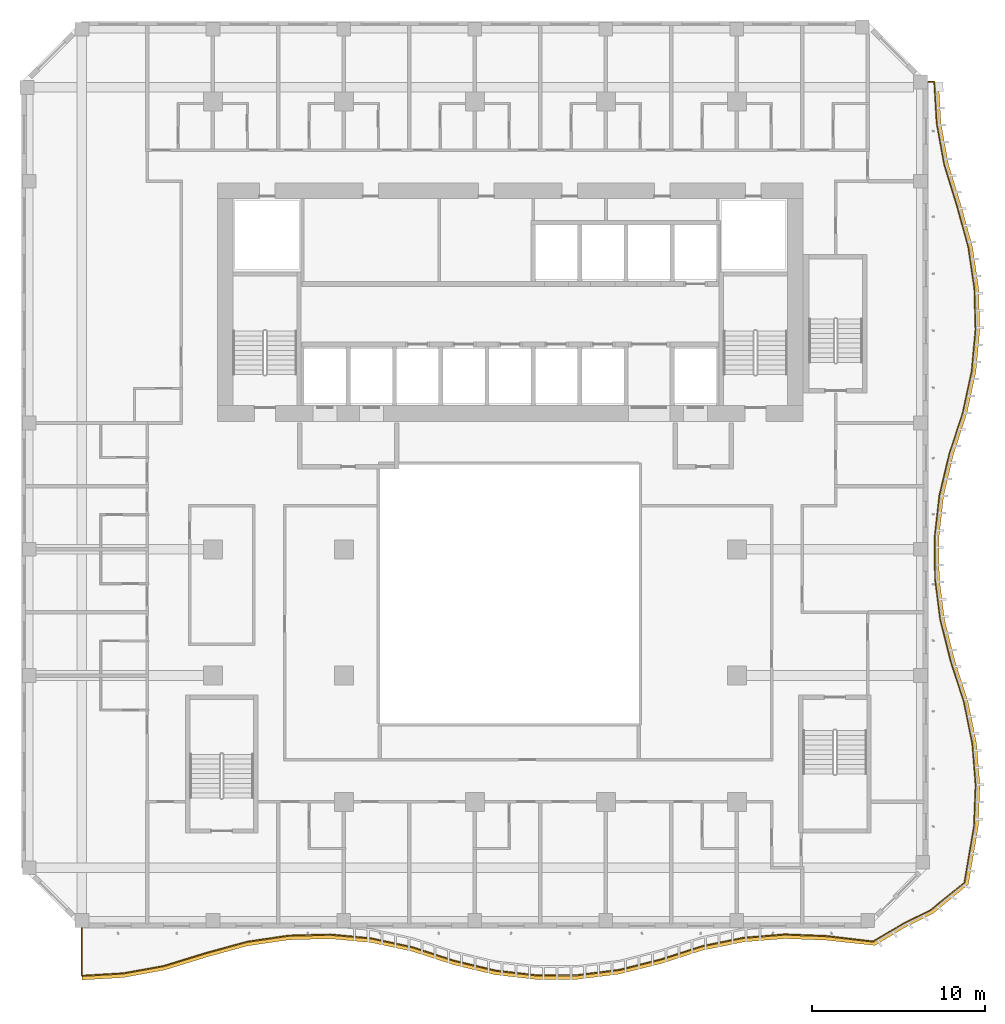
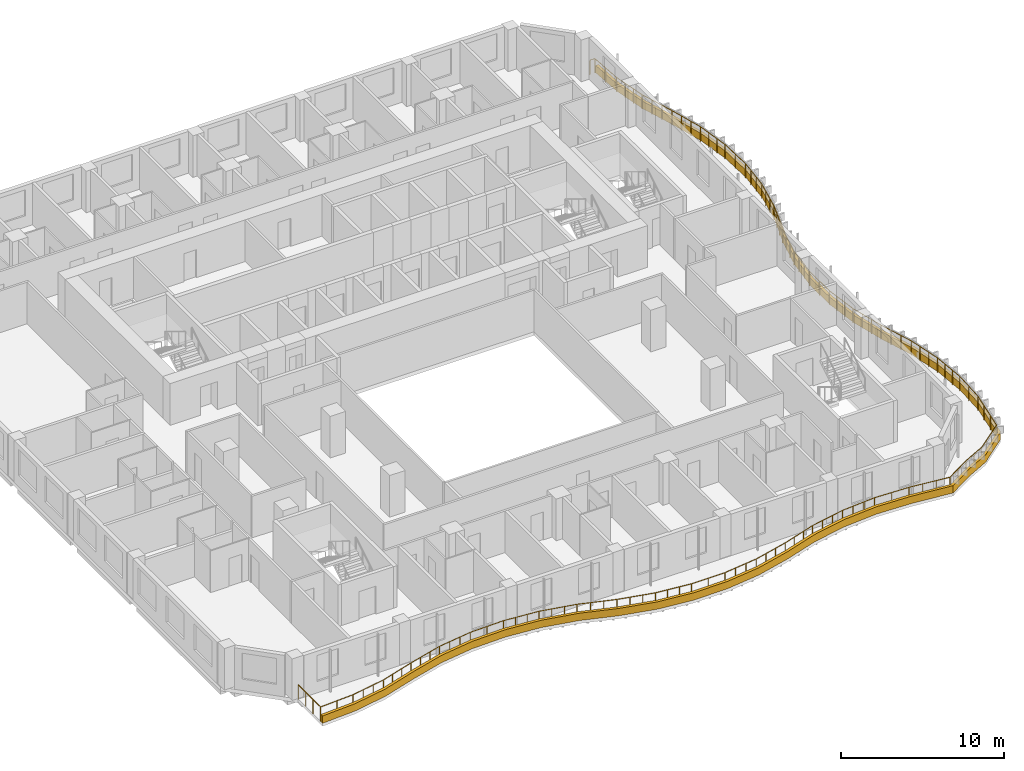
# One storey, part 16 of 21: 1 railing, 1 shading device.
"""IFC4 building model written with IfcOpenShell, lengths in metres."""

import ifcopenshell
import ifcopenshell.guid

model = None  # the IFC model being written
_history = None  # IfcOwnerHistory: only IFC2X3 demands one
_inside = {}  # id of a spatial element -> (the spatial element, [elements in it])
_under = {}  # id of a project, library or spatial element -> (it, [spatial elements below it])
_declared = {}  # id of a project -> (the project, [libraries it declares])
_typed = {}  # id of a type object -> (the type object, [elements of that type])
_made_of = {}  # id of a material, layer set ... -> (it, [elements and type objects made of it])


def new_model(schema):
    """Start an empty IFC model of exactly this schema.

    Asked for "IFC4X3", IfcOpenShell would pick the latest addendum, in which some entities
    have other attributes; the version numbers below select the first issue.
    IFC2X3 requires an IfcOwnerHistory on every rooted entity: one is made here for all.
    """
    global model, _history
    if schema == "IFC4X3":
        model = ifcopenshell.file(schema_version=(4, 3, 0, 0))
    else:
        model = ifcopenshell.file(schema=schema)
    _inside.clear()
    _under.clear()
    _declared.clear()
    _typed.clear()
    _made_of.clear()
    _history = None
    if model.schema == "IFC2X3":
        org = make("IfcOrganization", Name="unknown")
        user = make(
            "IfcPersonAndOrganization",
            ThePerson=make("IfcPerson", FamilyName="unknown"),
            TheOrganization=org,
        )
        app = make(
            "IfcApplication",
            ApplicationDeveloper=org,
            Version="unknown",
            ApplicationFullName="unknown",
            ApplicationIdentifier="unknown",
        )
        _history = make(
            "IfcOwnerHistory",
            OwningUser=user,
            OwningApplication=app,
            ChangeAction="ADDED",
            CreationDate=0,
        )
    return model


def make(cls, **values):
    """One entity of the class cls with the attributes given. An attribute that is None is left unset."""
    return model.create_entity(
        cls, **{name: value for name, value in values.items() if value is not None}
    )


def rooted(cls, **values):
    """An entity with a GlobalId (a new one), such as an element, a storey or a relation."""
    return make(cls, GlobalId=ifcopenshell.guid.new(), OwnerHistory=_history, **values)


def si_unit(unit_type, name, prefix=None):
    """IfcSIUnit, for example si_unit("LENGTHUNIT", "METRE", prefix="MILLI")."""
    return make("IfcSIUnit", UnitType=unit_type, Prefix=prefix, Name=name)


def assignment(units):
    """IfcUnitAssignment: the units of a project."""
    return None if units is None else make("IfcUnitAssignment", Units=units)


def point(xyz):
    """IfcCartesianPoint."""
    return None if xyz is None else make("IfcCartesianPoint", Coordinates=xyz)


def direction(xyz):
    """IfcDirection."""
    return None if xyz is None else make("IfcDirection", DirectionRatios=xyz)


def frame(location, z_axis=None, x_axis=None):
    """IfcAxis2Placement3D, a coordinate frame: its origin and axes. An axis left out is left unset."""
    return make(
        "IfcAxis2Placement3D",
        Location=point(location),
        Axis=direction(z_axis),
        RefDirection=direction(x_axis),
    )


def frame_2d(location, x_axis=None):
    """IfcAxis2Placement2D, a coordinate frame in the plane: its origin and x axis."""
    return make(
        "IfcAxis2Placement2D", Location=point(location), RefDirection=direction(x_axis)
    )


def origin():
    """The frame at (0, 0, 0) with its axes left unset."""
    return frame((0.0, 0.0, 0.0))


def origin_2d():
    """The frame at (0, 0) in the plane with its x axis left unset."""
    return frame_2d((0.0, 0.0))


def place(relative_to, where):
    """IfcLocalPlacement: puts the frame where relative to a parent placement (None: the world)."""
    return make(
        "IfcLocalPlacement", PlacementRelTo=relative_to, RelativePlacement=where
    )


def context(
    kind, dimensions, precision=None, world=None, true_north=None, identifier=None
):
    """IfcGeometricRepresentationContext, for example the 3D "Model" context."""
    return make(
        "IfcGeometricRepresentationContext",
        ContextIdentifier=identifier,
        ContextType=kind,
        CoordinateSpaceDimension=dimensions,
        Precision=precision,
        WorldCoordinateSystem=world,
        TrueNorth=true_north,
    )


def subcontext(parent, identifier, kind, view, scale=None):
    """IfcGeometricRepresentationSubContext, for example "Body" below "Model"."""
    return make(
        "IfcGeometricRepresentationSubContext",
        ContextIdentifier=identifier,
        ContextType=kind,
        ParentContext=parent,
        TargetScale=scale,
        TargetView=view,
    )


def project(units=None, contexts=None):
    """IfcProject with its units and contexts."""
    return rooted(
        "IfcProject",
        Name="project",
        RepresentationContexts=contexts,
        UnitsInContext=assignment(units),
    )


def spatial(cls, under=None, at=None, **own):
    """A site, building, storey or space (cls), placed at a placement, below another one or the project."""
    s = rooted(cls, ObjectPlacement=at, **own)
    if under is not None:
        _under.setdefault(under.id(), (under, []))[1].append(s)
    return s


def polyline(points):
    """IfcPolyline through the points."""
    return make("IfcPolyline", Points=[point(p) for p in points])


def profile(cls, at=None, kind="AREA", **sizes):
    """A parametric profile (cls). Its sizes go by their IFC names, for example OverallWidth=200.0."""
    return make(cls, ProfileType=kind, Position=at, **sizes)


def circle(**sizes):
    """IfcCircleProfileDef."""
    return profile("IfcCircleProfileDef", **sizes)


def outline(outer, holes=None, kind="AREA"):
    """IfcArbitraryClosedProfileDef: a profile drawn as a closed curve; with holes, ...WithVoids."""
    if holes is None:
        return make("IfcArbitraryClosedProfileDef", ProfileType=kind, OuterCurve=outer)
    return make(
        "IfcArbitraryProfileDefWithVoids",
        ProfileType=kind,
        OuterCurve=outer,
        InnerCurves=holes,
    )


def extrude(swept, where, along, depth):
    """IfcExtrudedAreaSolid: the profile swept, set in the frame where, extruded along a direction by depth."""
    return make(
        "IfcExtrudedAreaSolid",
        SweptArea=swept,
        Position=where,
        ExtrudedDirection=direction(along),
        Depth=depth,
    )


def shape(context_of_items, identifier, shape_type, items):
    """IfcShapeRepresentation: the items that make up one representation, for example the "Body"."""
    return make(
        "IfcShapeRepresentation",
        ContextOfItems=context_of_items,
        RepresentationIdentifier=identifier,
        RepresentationType=shape_type,
        Items=items,
    )


def source(mapping_origin, context_of_items, identifier, shape_type, items):
    """IfcRepresentationMap: a shape defined once, which mapped items show again and again."""
    return make(
        "IfcRepresentationMap",
        MappingOrigin=mapping_origin,
        MappedRepresentation=shape(context_of_items, identifier, shape_type, items),
    )


def transform(
    local_origin,
    x_axis=None,
    y_axis=None,
    z_axis=None,
    scale=None,
    scale2=None,
    scale3=None,
    uniform=True,
):
    """IfcCartesianTransformationOperator3D, or its non-uniform kind. x_axis, y_axis, z_axis: its Axis1, 2, 3."""
    if uniform:
        return make(
            "IfcCartesianTransformationOperator3D",
            Axis1=direction(x_axis),
            Axis2=direction(y_axis),
            LocalOrigin=point(local_origin),
            Scale=scale,
            Axis3=direction(z_axis),
        )
    return make(
        "IfcCartesianTransformationOperator3DnonUniform",
        Axis1=direction(x_axis),
        Axis2=direction(y_axis),
        LocalOrigin=point(local_origin),
        Scale=scale,
        Axis3=direction(z_axis),
        Scale2=scale2,
        Scale3=scale3,
    )


def mapped(mapping_source, mapping_target):
    """IfcMappedItem: shows the shape of a source again, moved by a transform."""
    return make(
        "IfcMappedItem", MappingSource=mapping_source, MappingTarget=mapping_target
    )


def material(Name=None, Category=None):
    """IfcMaterial."""
    return make("IfcMaterial", Name=Name, Category=Category)


def layer(
    of_material, thickness, ventilated=None, Name=None, Category=None, Priority=None
):
    """IfcMaterialLayer: one layer of a wall or slab, of a material (None: an air gap)."""
    return make(
        "IfcMaterialLayer",
        Material=of_material,
        LayerThickness=thickness,
        IsVentilated=ventilated,
        Name=Name,
        Category=Category,
        Priority=Priority,
    )


def layer_set(layers, Name=None):
    """IfcMaterialLayerSet."""
    return make("IfcMaterialLayerSet", MaterialLayers=layers, LayerSetName=Name)


def made_of(thing, what):
    """Note that an element or type object is made of a material, layer set ...; save() writes the relation."""
    if what is not None:
        _made_of.setdefault(what.id(), (what, []))[1].append(thing)
    return thing


def type_object(cls, material=None, **own):
    """A type object (cls), such as IfcWallType, which elements share."""
    return made_of(rooted(cls, **own), material)


def element(
    cls,
    number,
    at=None,
    inside=None,
    cuts=None,
    type_object=None,
    material=None,
    context=None,
    identifier="Body",
    shape_type=None,
    held_by="IfcProductDefinitionShape",
    body=None,
    shapes=None,
    **own,
):
    """One element of the class cls, such as IfcWall. Its Tag is "e" and its number.

    at: its placement. inside: the storey or other place that contains it. cuts: it is an
    opening in that element (IfcRelVoidsElement). A single representation is given by context,
    identifier, shape_type and body (its items); several are given by shapes. held_by: the class
    of the entity that holds the representations. save() writes the other relations.
    """
    e = rooted(cls, Tag="e%d" % number, ObjectPlacement=at, **own)
    if body is not None:
        shapes = [shape(context, identifier, shape_type, body)]
    if shapes is not None:
        e.Representation = make(held_by, Representations=shapes)
    if inside is not None:
        _inside.setdefault(inside.id(), (inside, []))[1].append(e)
    if cuts is not None:
        rooted(
            "IfcRelVoidsElement", RelatingBuildingElement=cuts, RelatedOpeningElement=e
        )
    if type_object is not None:
        _typed.setdefault(type_object.id(), (type_object, []))[1].append(e)
    return made_of(e, material)


def aggregate(whole, parts):
    """IfcRelAggregates: a whole, such as a stair, and the parts it consists of."""
    return rooted("IfcRelAggregates", RelatingObject=whole, RelatedObjects=parts)


def save(model, path):
    """Write the relations noted so far, then the file.

    IfcRelAggregates (storeys below a building ...), IfcRelContainedInSpatialStructure (elements
    in a storey), IfcRelDefinesByType, IfcRelAssociatesMaterial and IfcRelDeclares: one each for
    every whole, place, type object, material and project.
    """
    for whole, parts in _under.values():
        aggregate(whole, parts)
    for where, things in _inside.values():
        rooted(
            "IfcRelContainedInSpatialStructure",
            RelatedElements=things,
            RelatingStructure=where,
        )
    for kind, things in _typed.values():
        rooted("IfcRelDefinesByType", RelatedObjects=things, RelatingType=kind)
    for what, things in _made_of.values():
        rooted("IfcRelAssociatesMaterial", RelatedObjects=things, RelatingMaterial=what)
    for by, libraries in _declared.values():
        rooted("IfcRelDeclares", RelatingContext=by, RelatedDefinitions=libraries)
    model.write(path)


model = new_model("IFC4")

# Units and contexts
model_context = context("Model", 3, precision=1e-05, world=origin(), true_north=direction((0.0, 1.0)))
body_context = subcontext(model_context, "Body", "Model", "MODEL_VIEW")
ifc_project = project(units=[si_unit("LENGTHUNIT", "METRE"), si_unit("AREAUNIT", "SQUARE_METRE"), si_unit("VOLUMEUNIT", "CUBIC_METRE"), si_unit("PLANEANGLEUNIT", "RADIAN"), si_unit("MASSUNIT", "GRAM", prefix="KILO")], contexts=[model_context])

# Site, building, storey
site_placement = place(None, origin())
site = spatial("IfcSite", under=ifc_project, at=site_placement, CompositionType="ELEMENT")
building_placement = place(site_placement, origin())
building = spatial("IfcBuilding", under=site, at=building_placement, Name="Kilnfold Tower and Market Hall", CompositionType="ELEMENT")
storey_placement = place(building_placement, frame((0.0, 0.0, 147.300048828125)))
storey = spatial("IfcBuildingStorey", under=building, at=storey_placement, Name="L33", CompositionType="ELEMENT", Elevation=147.300048828125)

# Railing
ifc_material_1 = material(Name="Stainless steel and laminated glass", Category="steel")
railing_type = type_object("IfcRailingType", Name="GUARD 1100", PredefinedType="GUARDRAIL", material=ifc_material_1)
railing_placement = place(storey_placement, frame((-23.75, -21.25, 0.0)))
element("IfcRailing", 1, at=railing_placement, inside=storey, type_object=railing_type, Name="Guard balcony L33", PredefinedType="GUARDRAIL", context=body_context, shape_type="SweptSolid", body=[
    extrude(circle(Radius=0.02490234375, at=origin_2d()), frame((0.0, 0.0, 1.0751953125), z_axis=(0.0, -1.0, 0.0), x_axis=(1.0, 0.0, 0.0)), (0.0, 0.0, 1.0), 2.75),
    extrude(circle(Radius=0.02490234375, at=origin_2d()), frame((0.0, -2.75, 1.0751953125), z_axis=(0.998232361195, 0.059431919557, 0.0), x_axis=(-0.059431919557, 0.998232361195, 0.0)), (0.0, 0.0, 1.0), 2.39892578125),
    extrude(circle(Radius=0.02490234375, at=origin_2d()), frame((2.394775390625, -2.607421875, 1.0751953125), z_axis=(0.983948458674, 0.178452880822, 0.0), x_axis=(-0.178452880822, 0.983948458674, 0.0)), (0.0, 0.0, 1.0), 2.433837890625),
    extrude(circle(Radius=0.02490234375, at=origin_2d()), frame((4.78955078125, -2.173095703125, 1.0751953125), z_axis=(0.955500538095, 0.294989358621, 0.0), x_axis=(-0.294989358621, 0.955500538095, 0.0)), (0.0, 0.0, 1.0), 2.506103515625),
    extrude(circle(Radius=0.02490234375, at=origin_2d()), frame((7.18408203125, -1.433837890625, 1.0751953125), z_axis=(0.964367964402, 0.264564603141, 0.0), x_axis=(-0.264564603141, 0.964367964402, 0.0)), (0.0, 0.0, 1.0), 2.483154296875),
    extrude(circle(Radius=0.02490234375, at=origin_2d()), frame((9.578857421875, -0.77685546875, 1.0751953125), z_axis=(0.989351874828, 0.145543353591, 0.0), x_axis=(-0.145543353591, 0.989351874828, 0.0)), (0.0, 0.0, 1.0), 2.420654296875),
    extrude(circle(Radius=0.02490234375, at=origin_2d()), frame((11.9736328125, -0.424560546875, 1.0751953125), z_axis=(0.999646189257, 0.026598802671, 0.0), x_axis=(-0.026598802671, 0.999646189257, 0.0)), (0.0, 0.0, 1.0), 2.3955078125),
    extrude(circle(Radius=0.02490234375, at=origin_2d()), frame((14.368408203125, -0.36083984375, 1.0751953125), z_axis=(0.995733595296, -0.092274629231, 0.0), x_axis=(0.092274629231, 0.995733595296, 0.0)), (0.0, 0.0, 1.0), 2.405029296875),
    extrude(circle(Radius=0.02490234375, at=origin_2d()), frame((16.76318359375, -0.582763671875, 1.0751953125), z_axis=(0.97743196343, -0.211250460034, 0.0), x_axis=(0.211250460034, 0.97743196343, 0.0)), (0.0, 0.0, 1.0), 2.449951171875),
    extrude(circle(Radius=0.02490234375, at=origin_2d()), frame((19.157958984375, -1.100341796875, 1.0751953125), z_axis=(0.95090859365, -0.309471883251, 0.0), x_axis=(0.309471883251, 0.95090859365, 0.0)), (0.0, 0.0, 1.0), 2.51806640625),
    extrude(circle(Radius=0.02490234375, at=origin_2d()), frame((21.552490234375, -1.879638671875, 1.0751953125), z_axis=(0.97282217263, -0.231553493689, 0.0), x_axis=(0.231553493689, 0.97282217263, 0.0)), (0.0, 0.0, 1.0), 2.4619140625),
    extrude(circle(Radius=0.02490234375, at=origin_2d()), frame((23.947509765625, -2.44970703125, 1.0751953125), z_axis=(0.993622807535, -0.11275511672, 0.0), x_axis=(0.11275511672, 0.993622807535, 0.0)), (0.0, 0.0, 1.0), 2.409912109375),
    extrude(circle(Radius=0.02490234375, at=origin_2d()), frame((26.342041015625, -2.721435546875, 1.0751953125), z_axis=(0.999980663957, 0.006218658426, 0.0), x_axis=(-0.006218658426, 0.999980663957, 0.0)), (0.0, 0.0, 1.0), 2.394775390625),
    extrude(circle(Radius=0.02490234375, at=origin_2d()), frame((28.73681640625, -2.70654296875, 1.0751953125), z_axis=(0.992141905522, 0.125117701818, 0.0), x_axis=(-0.125117701818, 0.992141905522, 0.0)), (0.0, 0.0, 1.0), 2.413818359375),
    extrude(circle(Radius=0.02490234375, at=origin_2d()), frame((31.131591796875, -2.404541015625, 1.0751953125), z_axis=(0.969751609907, 0.244093865313, 0.0), x_axis=(-0.244093865313, 0.969751609907, 0.0)), (0.0, 0.0, 1.0), 2.469482421875),
    extrude(circle(Radius=0.02490234375, at=origin_2d()), frame((33.5263671875, -1.8017578125, 1.0751953125), z_axis=(0.952025531735, 0.306018605521, 0.0), x_axis=(-0.306018605521, 0.952025531735, 0.0)), (0.0, 0.0, 1.0), 2.515380859375),
    extrude(circle(Radius=0.02490234375, at=origin_2d()), frame((35.921142578125, -1.031982421875, 1.0751953125), z_axis=(0.980035103749, 0.19882453425, 0.0), x_axis=(-0.19882453425, 0.980035103749, 0.0)), (0.0, 0.0, 1.0), 2.443603515625),
    extrude(circle(Radius=0.02490234375, at=origin_2d()), frame((38.31591796875, -0.546142578125, 1.0751953125), z_axis=(0.996804281858, 0.079882561739, 0.0), x_axis=(-0.079882561739, 0.996804281858, 0.0)), (0.0, 0.0, 1.0), 2.402099609375),
    extrude(circle(Radius=0.02490234375, at=origin_2d()), frame((40.71044921875, -0.354248046875, 1.0751953125), z_axis=(0.99923858427, -0.039016044222, 0.0), x_axis=(0.039016044222, 0.99923858427, 0.0)), (0.0, 0.0, 1.0), 2.396484375),
    extrude(circle(Radius=0.02490234375, at=origin_2d()), frame((43.105224609375, -0.44775390625, 1.0751953125), z_axis=(0.99312251289, -0.117079777888, 0.0), x_axis=(0.117079777888, 0.99312251289, 0.0)), (0.0, 0.0, 1.0), 2.731689453125),
    extrude(circle(Radius=0.02490234375, at=origin_2d()), frame((45.818115234375, -0.767578125, 1.0751953125), z_axis=(0.860500345603, 0.509449855449, 0.0), x_axis=(-0.509449855449, 0.860500345603, 0.0)), (0.0, 0.0, 1.0), 2.031494140625),
    extrude(circle(Radius=0.02490234375, at=origin_2d()), frame((47.566162109375, 0.267333984375, 1.0751953125), z_axis=(0.895908654093, 0.444238318386, 0.0), x_axis=(-0.444238318386, 0.895908654093, 0.0)), (0.0, 0.0, 1.0), 1.740966796875),
    extrude(circle(Radius=0.02490234375, at=origin_2d()), frame((49.1259765625, 1.040771484375, 1.0751953125), z_axis=(0.778039049363, 0.628215916438, 0.0), x_axis=(-0.628215916438, 0.778039049363, 0.0)), (0.0, 0.0, 1.0), 2.5322265625),
    extrude(circle(Radius=0.02490234375, at=origin_2d()), frame((51.09619140625, 2.631591796875, 1.0751953125), z_axis=(0.167938126131, 0.985797537931, 0.0), x_axis=(-0.985797537931, 0.167938126131, 0.0)), (0.0, 0.0, 1.0), 3.310302734375),
    extrude(circle(Radius=0.02490234375, at=origin_2d()), frame((51.652099609375, 5.894775390625, 1.0751953125), z_axis=(0.039117758111, 0.999234607587, 0.0), x_axis=(-0.999234607587, 0.039117758111, 0.0)), (0.0, 0.0, 1.0), 2.396728515625),
    extrude(circle(Radius=0.02490234375, at=origin_2d()), frame((51.745849609375, 8.28955078125, 1.0751953125), z_axis=(-0.079882561739, 0.996804281858, 0.0), x_axis=(-0.996804281858, -0.079882561739, 0.0)), (0.0, 0.0, 1.0), 2.402099609375),
    extrude(circle(Radius=0.02490234375, at=origin_2d()), frame((51.553955078125, 10.68408203125, 1.0751953125), z_axis=(-0.19882453425, 0.980035103749, 0.0), x_axis=(-0.980035103749, -0.19882453425, 0.0)), (0.0, 0.0, 1.0), 2.443603515625),
    extrude(circle(Radius=0.02490234375, at=origin_2d()), frame((51.068115234375, 13.078857421875, 1.0751953125), z_axis=(-0.306018605521, 0.952025531735, 0.0), x_axis=(-0.952025531735, -0.306018605521, 0.0)), (0.0, 0.0, 1.0), 2.515380859375),
    extrude(circle(Radius=0.02490234375, at=origin_2d()), frame((50.29833984375, 15.4736328125, 1.0751953125), z_axis=(-0.244093865313, 0.969751609907, 0.0), x_axis=(-0.969751609907, -0.244093865313, 0.0)), (0.0, 0.0, 1.0), 2.469482421875),
    extrude(circle(Radius=0.02490234375, at=origin_2d()), frame((49.695556640625, 17.868408203125, 1.0751953125), z_axis=(-0.125217262623, 0.992129344965, 0.0), x_axis=(-0.992129344965, -0.125217262623, 0.0)), (0.0, 0.0, 1.0), 2.413818359375),
    extrude(circle(Radius=0.02490234375, at=origin_2d()), frame((49.393310546875, 20.26318359375, 1.0751953125), z_axis=(-0.006218658426, 0.999980663957, 0.0), x_axis=(-0.999980663957, -0.006218658426, 0.0)), (0.0, 0.0, 1.0), 2.394775390625),
    extrude(circle(Radius=0.02490234375, at=origin_2d()), frame((49.37841796875, 22.657958984375, 1.0751953125), z_axis=(0.11275511672, 0.993622807535, 0.0), x_axis=(-0.993622807535, 0.11275511672, 0.0)), (0.0, 0.0, 1.0), 2.409912109375),
    extrude(circle(Radius=0.02490234375, at=origin_2d()), frame((49.650146484375, 25.052490234375, 1.0751953125), z_axis=(0.231647339829, 0.972799830361, 0.0), x_axis=(-0.972799830361, 0.231647339829, 0.0)), (0.0, 0.0, 1.0), 2.4619140625),
    extrude(circle(Radius=0.02490234375, at=origin_2d()), frame((50.220458984375, 27.447509765625, 1.0751953125), z_axis=(0.309384212364, 0.950937121549, 0.0), x_axis=(-0.950937121549, 0.309384212364, 0.0)), (0.0, 0.0, 1.0), 2.51806640625),
    extrude(circle(Radius=0.02490234375, at=origin_2d()), frame((50.99951171875, 29.842041015625, 1.0751953125), z_axis=(0.211250460034, 0.97743196343, 0.0), x_axis=(-0.97743196343, 0.211250460034, 0.0)), (0.0, 0.0, 1.0), 2.449951171875),
    extrude(circle(Radius=0.02490234375, at=origin_2d()), frame((51.51708984375, 32.23681640625, 1.0751953125), z_axis=(0.092375275723, 0.995724263255, 0.0), x_axis=(-0.995724263255, 0.092375275723, 0.0)), (0.0, 0.0, 1.0), 2.405029296875),
    extrude(circle(Radius=0.02490234375, at=origin_2d()), frame((51.7392578125, 34.631591796875, 1.0751953125), z_axis=(-0.026700641276, 0.999643474322, 0.0), x_axis=(-0.999643474322, -0.026700641276, 0.0)), (0.0, 0.0, 1.0), 2.3955078125),
    extrude(circle(Radius=0.02490234375, at=origin_2d()), frame((51.67529296875, 37.0263671875, 1.0751953125), z_axis=(-0.145543353591, 0.989351874828, 0.0), x_axis=(-0.989351874828, -0.145543353591, 0.0)), (0.0, 0.0, 1.0), 2.420654296875),
    extrude(circle(Radius=0.02490234375, at=origin_2d()), frame((51.322998046875, 39.421142578125, 1.0751953125), z_axis=(-0.264473166443, 0.964393044475, 0.0), x_axis=(-0.964393044475, -0.264473166443, 0.0)), (0.0, 0.0, 1.0), 2.483154296875),
    extrude(circle(Radius=0.02490234375, at=origin_2d()), frame((50.666259765625, 41.81591796875, 1.0751953125), z_axis=(-0.294989358621, 0.955500538095, 0.0), x_axis=(-0.955500538095, -0.294989358621, 0.0)), (0.0, 0.0, 1.0), 2.506103515625),
    extrude(circle(Radius=0.02490234375, at=origin_2d()), frame((49.927001953125, 44.21044921875, 1.0751953125), z_axis=(-0.178452880822, 0.983948458674, 0.0), x_axis=(-0.983948458674, -0.178452880822, 0.0)), (0.0, 0.0, 1.0), 2.433837890625),
    extrude(circle(Radius=0.02490234375, at=origin_2d()), frame((49.49267578125, 46.605224609375, 1.0751953125), z_axis=(-0.059431919557, 0.998232361195, 0.0), x_axis=(-0.998232361195, -0.059431919557, 0.0)), (0.0, 0.0, 1.0), 2.39892578125),
    extrude(circle(Radius=0.02490234375, at=origin_2d()), frame((49.35009765625, 49.0, 1.0751953125), z_axis=(-1.0, 0.0, 0.0), x_axis=(0.0, -1.0, 0.0)), (0.0, 0.0, 1.0), 0.35009765625),
    extrude(circle(Radius=0.02490234375, at=origin_2d()), origin(), (0.0, 0.0, 1.0), 1.050048828125),
    extrude(circle(Radius=0.02490234375, at=origin_2d()), frame((0.0, -0.916748046875, 0.0)), (0.0, 0.0, 1.0), 1.050048828125),
    extrude(circle(Radius=0.02490234375, at=origin_2d()), frame((0.0, -1.833251953125, 0.0)), (0.0, 0.0, 1.0), 1.050048828125),
    extrude(circle(Radius=0.02490234375, at=origin_2d()), frame((0.0, -2.75, 0.0)), (0.0, 0.0, 1.0), 1.050048828125),
    extrude(circle(Radius=0.02490234375, at=origin_2d()), frame((1.197265625, -2.6787109375, 0.0)), (0.0, 0.0, 1.0), 1.050048828125),
    extrude(circle(Radius=0.02490234375, at=origin_2d()), frame((2.394775390625, -2.607421875, 0.0)), (0.0, 0.0, 1.0), 1.050048828125),
    extrude(circle(Radius=0.02490234375, at=origin_2d()), frame((3.193115234375, -2.462646484375, 0.0)), (0.0, 0.0, 1.0), 1.050048828125),
    extrude(circle(Radius=0.02490234375, at=origin_2d()), frame((3.9912109375, -2.31787109375, 0.0)), (0.0, 0.0, 1.0), 1.050048828125),
    extrude(circle(Radius=0.02490234375, at=origin_2d()), frame((4.78955078125, -2.173095703125, 0.0)), (0.0, 0.0, 1.0), 1.050048828125),
    extrude(circle(Radius=0.02490234375, at=origin_2d()), frame((5.587646484375, -1.9267578125, 0.0)), (0.0, 0.0, 1.0), 1.050048828125),
    extrude(circle(Radius=0.02490234375, at=origin_2d()), frame((6.385986328125, -1.68017578125, 0.0)), (0.0, 0.0, 1.0), 1.050048828125),
    extrude(circle(Radius=0.02490234375, at=origin_2d()), frame((7.18408203125, -1.433837890625, 0.0)), (0.0, 0.0, 1.0), 1.050048828125),
    extrude(circle(Radius=0.02490234375, at=origin_2d()), frame((7.982421875, -1.21484375, 0.0)), (0.0, 0.0, 1.0), 1.050048828125),
    extrude(circle(Radius=0.02490234375, at=origin_2d()), frame((8.780517578125, -0.995849609375, 0.0)), (0.0, 0.0, 1.0), 1.050048828125),
    extrude(circle(Radius=0.02490234375, at=origin_2d()), frame((9.578857421875, -0.77685546875, 0.0)), (0.0, 0.0, 1.0), 1.050048828125),
    extrude(circle(Radius=0.02490234375, at=origin_2d()), frame((10.377197265625, -0.659423828125, 0.0)), (0.0, 0.0, 1.0), 1.050048828125),
    extrude(circle(Radius=0.02490234375, at=origin_2d()), frame((11.17529296875, -0.5419921875, 0.0)), (0.0, 0.0, 1.0), 1.050048828125),
    extrude(circle(Radius=0.02490234375, at=origin_2d()), frame((11.9736328125, -0.424560546875, 0.0)), (0.0, 0.0, 1.0), 1.050048828125),
    extrude(circle(Radius=0.02490234375, at=origin_2d()), frame((13.1708984375, -0.392578125, 0.0)), (0.0, 0.0, 1.0), 1.050048828125),
    extrude(circle(Radius=0.02490234375, at=origin_2d()), frame((14.368408203125, -0.36083984375, 0.0)), (0.0, 0.0, 1.0), 1.050048828125),
    extrude(circle(Radius=0.02490234375, at=origin_2d()), frame((15.166748046875, -0.434814453125, 0.0)), (0.0, 0.0, 1.0), 1.050048828125),
    extrude(circle(Radius=0.02490234375, at=origin_2d()), frame((15.96484375, -0.5087890625, 0.0)), (0.0, 0.0, 1.0), 1.050048828125),
    extrude(circle(Radius=0.02490234375, at=origin_2d()), frame((16.76318359375, -0.582763671875, 0.0)), (0.0, 0.0, 1.0), 1.050048828125),
    extrude(circle(Radius=0.02490234375, at=origin_2d()), frame((17.5615234375, -0.75537109375, 0.0)), (0.0, 0.0, 1.0), 1.050048828125),
    extrude(circle(Radius=0.02490234375, at=origin_2d()), frame((18.359619140625, -0.927734375, 0.0)), (0.0, 0.0, 1.0), 1.050048828125),
    extrude(circle(Radius=0.02490234375, at=origin_2d()), frame((19.157958984375, -1.100341796875, 0.0)), (0.0, 0.0, 1.0), 1.050048828125),
    extrude(circle(Radius=0.02490234375, at=origin_2d()), frame((19.9560546875, -1.360107421875, 0.0)), (0.0, 0.0, 1.0), 1.050048828125),
    extrude(circle(Radius=0.02490234375, at=origin_2d()), frame((20.75439453125, -1.619873046875, 0.0)), (0.0, 0.0, 1.0), 1.050048828125),
    extrude(circle(Radius=0.02490234375, at=origin_2d()), frame((21.552490234375, -1.879638671875, 0.0)), (0.0, 0.0, 1.0), 1.050048828125),
    extrude(circle(Radius=0.02490234375, at=origin_2d()), frame((22.350830078125, -2.069580078125, 0.0)), (0.0, 0.0, 1.0), 1.050048828125),
    extrude(circle(Radius=0.02490234375, at=origin_2d()), frame((23.149169921875, -2.259765625, 0.0)), (0.0, 0.0, 1.0), 1.050048828125),
    extrude(circle(Radius=0.02490234375, at=origin_2d()), frame((23.947509765625, -2.44970703125, 0.0)), (0.0, 0.0, 1.0), 1.050048828125),
    extrude(circle(Radius=0.02490234375, at=origin_2d()), frame((24.74560546875, -2.540283203125, 0.0)), (0.0, 0.0, 1.0), 1.050048828125),
    extrude(circle(Radius=0.02490234375, at=origin_2d()), frame((25.5439453125, -2.630859375, 0.0)), (0.0, 0.0, 1.0), 1.050048828125),
    extrude(circle(Radius=0.02490234375, at=origin_2d()), frame((26.342041015625, -2.721435546875, 0.0)), (0.0, 0.0, 1.0), 1.050048828125),
    extrude(circle(Radius=0.02490234375, at=origin_2d()), frame((27.53955078125, -2.7138671875, 0.0)), (0.0, 0.0, 1.0), 1.050048828125),
    extrude(circle(Radius=0.02490234375, at=origin_2d()), frame((28.73681640625, -2.70654296875, 0.0)), (0.0, 0.0, 1.0), 1.050048828125),
    extrude(circle(Radius=0.02490234375, at=origin_2d()), frame((29.53515625, -2.60595703125, 0.0)), (0.0, 0.0, 1.0), 1.050048828125),
    extrude(circle(Radius=0.02490234375, at=origin_2d()), frame((30.333251953125, -2.505126953125, 0.0)), (0.0, 0.0, 1.0), 1.050048828125),
    extrude(circle(Radius=0.02490234375, at=origin_2d()), frame((31.131591796875, -2.404541015625, 0.0)), (0.0, 0.0, 1.0), 1.050048828125),
    extrude(circle(Radius=0.02490234375, at=origin_2d()), frame((31.929931640625, -2.20361328125, 0.0)), (0.0, 0.0, 1.0), 1.050048828125),
    extrude(circle(Radius=0.02490234375, at=origin_2d()), frame((32.72802734375, -2.002685546875, 0.0)), (0.0, 0.0, 1.0), 1.050048828125),
    extrude(circle(Radius=0.02490234375, at=origin_2d()), frame((33.5263671875, -1.8017578125, 0.0)), (0.0, 0.0, 1.0), 1.050048828125),
    extrude(circle(Radius=0.02490234375, at=origin_2d()), frame((34.32470703125, -1.545166015625, 0.0)), (0.0, 0.0, 1.0), 1.050048828125),
    extrude(circle(Radius=0.02490234375, at=origin_2d()), frame((35.122802734375, -1.28857421875, 0.0)), (0.0, 0.0, 1.0), 1.050048828125),
    extrude(circle(Radius=0.02490234375, at=origin_2d()), frame((35.921142578125, -1.031982421875, 0.0)), (0.0, 0.0, 1.0), 1.050048828125),
    extrude(circle(Radius=0.02490234375, at=origin_2d()), frame((36.719482421875, -0.8701171875, 0.0)), (0.0, 0.0, 1.0), 1.050048828125),
    extrude(circle(Radius=0.02490234375, at=origin_2d()), frame((37.517578125, -0.7080078125, 0.0)), (0.0, 0.0, 1.0), 1.050048828125),
    extrude(circle(Radius=0.02490234375, at=origin_2d()), frame((38.31591796875, -0.546142578125, 0.0)), (0.0, 0.0, 1.0), 1.050048828125),
    extrude(circle(Radius=0.02490234375, at=origin_2d()), frame((39.114013671875, -0.482177734375, 0.0)), (0.0, 0.0, 1.0), 1.050048828125),
    extrude(circle(Radius=0.02490234375, at=origin_2d()), frame((39.912353515625, -0.418212890625, 0.0)), (0.0, 0.0, 1.0), 1.050048828125),
    extrude(circle(Radius=0.02490234375, at=origin_2d()), frame((40.71044921875, -0.354248046875, 0.0)), (0.0, 0.0, 1.0), 1.050048828125),
    extrude(circle(Radius=0.02490234375, at=origin_2d()), frame((41.90771484375, -0.40087890625, 0.0)), (0.0, 0.0, 1.0), 1.050048828125),
    extrude(circle(Radius=0.02490234375, at=origin_2d()), frame((43.105224609375, -0.44775390625, 0.0)), (0.0, 0.0, 1.0), 1.050048828125),
    extrude(circle(Radius=0.02490234375, at=origin_2d()), frame((44.009521484375, -0.554443359375, 0.0)), (0.0, 0.0, 1.0), 1.050048828125),
    extrude(circle(Radius=0.02490234375, at=origin_2d()), frame((44.913818359375, -0.660888671875, 0.0)), (0.0, 0.0, 1.0), 1.050048828125),
    extrude(circle(Radius=0.02490234375, at=origin_2d()), frame((45.818115234375, -0.767578125, 0.0)), (0.0, 0.0, 1.0), 1.050048828125),
    extrude(circle(Radius=0.02490234375, at=origin_2d()), frame((46.692138671875, -0.25, 0.0)), (0.0, 0.0, 1.0), 1.050048828125),
    extrude(circle(Radius=0.02490234375, at=origin_2d()), frame((47.566162109375, 0.267333984375, 0.0)), (0.0, 0.0, 1.0), 1.050048828125),
    extrude(circle(Radius=0.02490234375, at=origin_2d()), frame((48.34619140625, 0.654052734375, 0.0)), (0.0, 0.0, 1.0), 1.050048828125),
    extrude(circle(Radius=0.02490234375, at=origin_2d()), frame((49.1259765625, 1.040771484375, 0.0)), (0.0, 0.0, 1.0), 1.050048828125),
    extrude(circle(Radius=0.02490234375, at=origin_2d()), frame((49.78271484375, 1.571044921875, 0.0)), (0.0, 0.0, 1.0), 1.050048828125),
    extrude(circle(Radius=0.02490234375, at=origin_2d()), frame((50.439453125, 2.101318359375, 0.0)), (0.0, 0.0, 1.0), 1.050048828125),
    extrude(circle(Radius=0.02490234375, at=origin_2d()), frame((51.09619140625, 2.631591796875, 0.0)), (0.0, 0.0, 1.0), 1.050048828125),
    extrude(circle(Radius=0.02490234375, at=origin_2d()), frame((51.281494140625, 3.71923828125, 0.0)), (0.0, 0.0, 1.0), 1.050048828125),
    extrude(circle(Radius=0.02490234375, at=origin_2d()), frame((51.466796875, 4.80712890625, 0.0)), (0.0, 0.0, 1.0), 1.050048828125),
    extrude(circle(Radius=0.02490234375, at=origin_2d()), frame((51.652099609375, 5.894775390625, 0.0)), (0.0, 0.0, 1.0), 1.050048828125),
    extrude(circle(Radius=0.02490234375, at=origin_2d()), frame((51.698974609375, 7.09228515625, 0.0)), (0.0, 0.0, 1.0), 1.050048828125),
    extrude(circle(Radius=0.02490234375, at=origin_2d()), frame((51.745849609375, 8.28955078125, 0.0)), (0.0, 0.0, 1.0), 1.050048828125),
    extrude(circle(Radius=0.02490234375, at=origin_2d()), frame((51.681884765625, 9.087646484375, 0.0)), (0.0, 0.0, 1.0), 1.050048828125),
    extrude(circle(Radius=0.02490234375, at=origin_2d()), frame((51.617919921875, 9.885986328125, 0.0)), (0.0, 0.0, 1.0), 1.050048828125),
    extrude(circle(Radius=0.02490234375, at=origin_2d()), frame((51.553955078125, 10.68408203125, 0.0)), (0.0, 0.0, 1.0), 1.050048828125),
    extrude(circle(Radius=0.02490234375, at=origin_2d()), frame((51.39208984375, 11.482421875, 0.0)), (0.0, 0.0, 1.0), 1.050048828125),
    extrude(circle(Radius=0.02490234375, at=origin_2d()), frame((51.22998046875, 12.280517578125, 0.0)), (0.0, 0.0, 1.0), 1.050048828125),
    extrude(circle(Radius=0.02490234375, at=origin_2d()), frame((51.068115234375, 13.078857421875, 0.0)), (0.0, 0.0, 1.0), 1.050048828125),
    extrude(circle(Radius=0.02490234375, at=origin_2d()), frame((50.8115234375, 13.877197265625, 0.0)), (0.0, 0.0, 1.0), 1.050048828125),
    extrude(circle(Radius=0.02490234375, at=origin_2d()), frame((50.554931640625, 14.67529296875, 0.0)), (0.0, 0.0, 1.0), 1.050048828125),
    extrude(circle(Radius=0.02490234375, at=origin_2d()), frame((50.29833984375, 15.4736328125, 0.0)), (0.0, 0.0, 1.0), 1.050048828125),
    extrude(circle(Radius=0.02490234375, at=origin_2d()), frame((50.097412109375, 16.27197265625, 0.0)), (0.0, 0.0, 1.0), 1.050048828125),
    extrude(circle(Radius=0.02490234375, at=origin_2d()), frame((49.896484375, 17.070068359375, 0.0)), (0.0, 0.0, 1.0), 1.050048828125),
    extrude(circle(Radius=0.02490234375, at=origin_2d()), frame((49.695556640625, 17.868408203125, 0.0)), (0.0, 0.0, 1.0), 1.050048828125),
    extrude(circle(Radius=0.02490234375, at=origin_2d()), frame((49.5947265625, 18.666748046875, 0.0)), (0.0, 0.0, 1.0), 1.050048828125),
    extrude(circle(Radius=0.02490234375, at=origin_2d()), frame((49.494140625, 19.46484375, 0.0)), (0.0, 0.0, 1.0), 1.050048828125),
    extrude(circle(Radius=0.02490234375, at=origin_2d()), frame((49.393310546875, 20.26318359375, 0.0)), (0.0, 0.0, 1.0), 1.050048828125),
    extrude(circle(Radius=0.02490234375, at=origin_2d()), frame((49.3857421875, 21.46044921875, 0.0)), (0.0, 0.0, 1.0), 1.050048828125),
    extrude(circle(Radius=0.02490234375, at=origin_2d()), frame((49.37841796875, 22.657958984375, 0.0)), (0.0, 0.0, 1.0), 1.050048828125),
    extrude(circle(Radius=0.02490234375, at=origin_2d()), frame((49.468994140625, 23.4560546875, 0.0)), (0.0, 0.0, 1.0), 1.050048828125),
    extrude(circle(Radius=0.02490234375, at=origin_2d()), frame((49.5595703125, 24.25439453125, 0.0)), (0.0, 0.0, 1.0), 1.050048828125),
    extrude(circle(Radius=0.02490234375, at=origin_2d()), frame((49.650146484375, 25.052490234375, 0.0)), (0.0, 0.0, 1.0), 1.050048828125),
    extrude(circle(Radius=0.02490234375, at=origin_2d()), frame((49.84033203125, 25.850830078125, 0.0)), (0.0, 0.0, 1.0), 1.050048828125),
    extrude(circle(Radius=0.02490234375, at=origin_2d()), frame((50.0302734375, 26.649169921875, 0.0)), (0.0, 0.0, 1.0), 1.050048828125),
    extrude(circle(Radius=0.02490234375, at=origin_2d()), frame((50.220458984375, 27.447509765625, 0.0)), (0.0, 0.0, 1.0), 1.050048828125),
    extrude(circle(Radius=0.02490234375, at=origin_2d()), frame((50.480224609375, 28.24560546875, 0.0)), (0.0, 0.0, 1.0), 1.050048828125),
    extrude(circle(Radius=0.02490234375, at=origin_2d()), frame((50.73974609375, 29.0439453125, 0.0)), (0.0, 0.0, 1.0), 1.050048828125),
    extrude(circle(Radius=0.02490234375, at=origin_2d()), frame((50.99951171875, 29.842041015625, 0.0)), (0.0, 0.0, 1.0), 1.050048828125),
    extrude(circle(Radius=0.02490234375, at=origin_2d()), frame((51.172119140625, 30.640380859375, 0.0)), (0.0, 0.0, 1.0), 1.050048828125),
    extrude(circle(Radius=0.02490234375, at=origin_2d()), frame((51.344482421875, 31.4384765625, 0.0)), (0.0, 0.0, 1.0), 1.050048828125),
    extrude(circle(Radius=0.02490234375, at=origin_2d()), frame((51.51708984375, 32.23681640625, 0.0)), (0.0, 0.0, 1.0), 1.050048828125),
    extrude(circle(Radius=0.02490234375, at=origin_2d()), frame((51.591064453125, 33.03515625, 0.0)), (0.0, 0.0, 1.0), 1.050048828125),
    extrude(circle(Radius=0.02490234375, at=origin_2d()), frame((51.665283203125, 33.833251953125, 0.0)), (0.0, 0.0, 1.0), 1.050048828125),
    extrude(circle(Radius=0.02490234375, at=origin_2d()), frame((51.7392578125, 34.631591796875, 0.0)), (0.0, 0.0, 1.0), 1.050048828125),
    extrude(circle(Radius=0.02490234375, at=origin_2d()), frame((51.707275390625, 35.8291015625, 0.0)), (0.0, 0.0, 1.0), 1.050048828125),
    extrude(circle(Radius=0.02490234375, at=origin_2d()), frame((51.67529296875, 37.0263671875, 0.0)), (0.0, 0.0, 1.0), 1.050048828125),
    extrude(circle(Radius=0.02490234375, at=origin_2d()), frame((51.557861328125, 37.82470703125, 0.0)), (0.0, 0.0, 1.0), 1.050048828125),
    extrude(circle(Radius=0.02490234375, at=origin_2d()), frame((51.4404296875, 38.622802734375, 0.0)), (0.0, 0.0, 1.0), 1.050048828125),
    extrude(circle(Radius=0.02490234375, at=origin_2d()), frame((51.322998046875, 39.421142578125, 0.0)), (0.0, 0.0, 1.0), 1.050048828125),
    extrude(circle(Radius=0.02490234375, at=origin_2d()), frame((51.10400390625, 40.219482421875, 0.0)), (0.0, 0.0, 1.0), 1.050048828125),
    extrude(circle(Radius=0.02490234375, at=origin_2d()), frame((50.88525390625, 41.017578125, 0.0)), (0.0, 0.0, 1.0), 1.050048828125),
    extrude(circle(Radius=0.02490234375, at=origin_2d()), frame((50.666259765625, 41.81591796875, 0.0)), (0.0, 0.0, 1.0), 1.050048828125),
    extrude(circle(Radius=0.02490234375, at=origin_2d()), frame((50.419921875, 42.614013671875, 0.0)), (0.0, 0.0, 1.0), 1.050048828125),
    extrude(circle(Radius=0.02490234375, at=origin_2d()), frame((50.17333984375, 43.412353515625, 0.0)), (0.0, 0.0, 1.0), 1.050048828125),
    extrude(circle(Radius=0.02490234375, at=origin_2d()), frame((49.927001953125, 44.21044921875, 0.0)), (0.0, 0.0, 1.0), 1.050048828125),
    extrude(circle(Radius=0.02490234375, at=origin_2d()), frame((49.7822265625, 45.0087890625, 0.0)), (0.0, 0.0, 1.0), 1.050048828125),
    extrude(circle(Radius=0.02490234375, at=origin_2d()), frame((49.637451171875, 45.806884765625, 0.0)), (0.0, 0.0, 1.0), 1.050048828125),
    extrude(circle(Radius=0.02490234375, at=origin_2d()), frame((49.49267578125, 46.605224609375, 0.0)), (0.0, 0.0, 1.0), 1.050048828125),
    extrude(circle(Radius=0.02490234375, at=origin_2d()), frame((49.42138671875, 47.802734375, 0.0)), (0.0, 0.0, 1.0), 1.050048828125),
    extrude(circle(Radius=0.02490234375, at=origin_2d()), frame((49.35009765625, 49.0, 0.0)), (0.0, 0.0, 1.0), 1.050048828125),
    extrude(circle(Radius=0.02490234375, at=origin_2d()), frame((49.0, 49.0, 0.0)), (0.0, 0.0, 1.0), 1.050048828125),
])

# Shading device
ifc_material_2 = material(Name="Precast concrete C50/60", Category="concrete")
ifc_layer = layer(ifc_material_2, 0.550048828125)
ifc_layer_set = layer_set([ifc_layer], Name="Precast concrete C50/60")
shading_device_type = type_object("IfcShadingDeviceType", Name="BALCONY UPSTAND 550", PredefinedType="USERDEFINED", material=ifc_layer_set)
shared_shape = source(origin(), body_context, "Body", "SweptSolid", [
    extrude(outline(polyline([(-23.75, -24.25), (-21.355224609375, -24.107421875), (-18.96044921875, -23.673095703125), (-16.56591796875, -22.933837890625), (-14.171142578125, -22.27685546875), (-11.7763671875, -21.924560546875), (-9.381591796875, -21.86083984375), (-6.98681640625, -22.082763671875), (-4.592041015625, -22.600341796875), (-2.197509765625, -23.379638671875), (0.197509765625, -23.94970703125), (2.592041015625, -24.221435546875), (4.98681640625, -24.20654296875), (7.381591796875, -23.904541015625), (9.7763671875, -23.3017578125), (12.171142578125, -22.531982421875), (14.56591796875, -22.046142578125), (16.96044921875, -21.854248046875), (19.355224609375, -21.94775390625), (22.163818359375, -22.248779296875), (23.992919921875, -21.159423828125), (25.552734375, -20.385986328125), (27.577392578125, -18.714111328125), (28.152099609375, -15.355224609375), (28.245849609375, -12.96044921875), (28.053955078125, -10.56591796875), (27.568115234375, -8.171142578125), (26.79833984375, -5.7763671875), (26.195556640625, -3.381591796875), (25.893310546875, -0.98681640625), (25.87841796875, 1.407958984375), (26.150146484375, 3.802490234375), (26.720458984375, 6.197509765625), (27.49951171875, 8.592041015625), (28.01708984375, 10.98681640625), (28.2392578125, 13.381591796875), (28.17529296875, 15.7763671875), (27.822998046875, 18.171142578125), (27.166259765625, 20.56591796875), (26.427001953125, 22.96044921875), (25.99267578125, 25.355224609375), (25.85009765625, 27.75), (25.64990234375, 27.75), (25.792724609375, 25.355224609375), (26.226806640625, 22.96044921875), (26.96630859375, 20.56591796875), (27.623046875, 18.171142578125), (27.975341796875, 15.7763671875), (28.039306640625, 13.381591796875), (27.817138671875, 10.98681640625), (27.299560546875, 8.592041015625), (26.5205078125, 6.197509765625), (25.9501953125, 3.802490234375), (25.678466796875, 1.407958984375), (25.693359375, -0.98681640625), (25.99560546875, -3.381591796875), (26.598388671875, -5.7763671875), (27.3681640625, -8.171142578125), (27.85400390625, -10.56591796875), (28.0458984375, -12.96044921875), (27.9521484375, -15.355224609375), (27.392578125, -18.637451171875), (25.411376953125, -20.24462890625), (23.8515625, -21.01806640625), (22.087158203125, -22.06396484375), (19.355224609375, -21.747802734375), (16.96044921875, -21.654296875), (14.56591796875, -21.84619140625), (12.171142578125, -22.331787109375), (9.7763671875, -23.101806640625), (7.381591796875, -23.70458984375), (4.98681640625, -24.006591796875), (2.592041015625, -24.021484375), (0.197509765625, -23.749755859375), (-2.197509765625, -23.1796875), (-4.592041015625, -22.400390625), (-6.98681640625, -21.8828125), (-9.381591796875, -21.660888671875), (-11.7763671875, -21.724609375), (-14.171142578125, -22.076904296875), (-16.56591796875, -22.73388671875), (-18.96044921875, -23.47314453125), (-21.355224609375, -23.9072265625), (-23.75, -24.050048828125), (-23.75, -24.25)])), origin(), (0.0, 0.0, 1.0), 0.550048828125),
])
shading_device_placement = place(storey_placement, origin())
element("IfcShadingDevice", 2, at=shading_device_placement, inside=storey, type_object=shading_device_type, Name="Balcony fascia L33", ObjectType="FASCIA", PredefinedType="USERDEFINED", context=body_context, shape_type="MappedRepresentation", body=[
    mapped(shared_shape, transform((0.0, 0.0, 0.0))),
])

save(model, "model.ifc")
